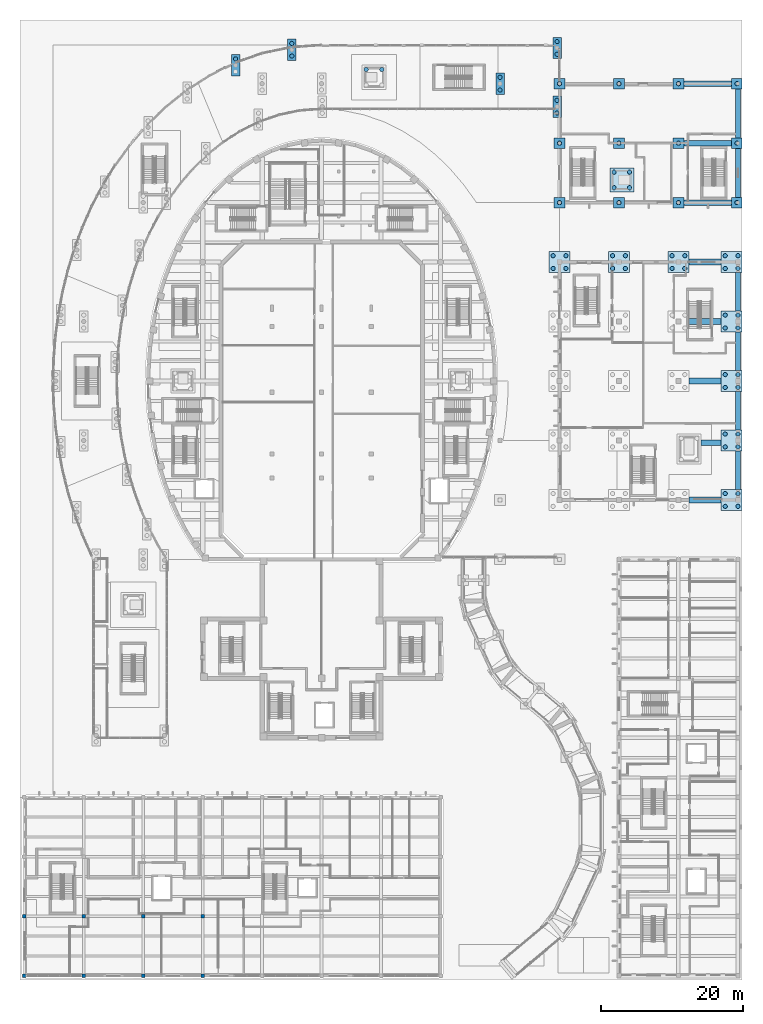
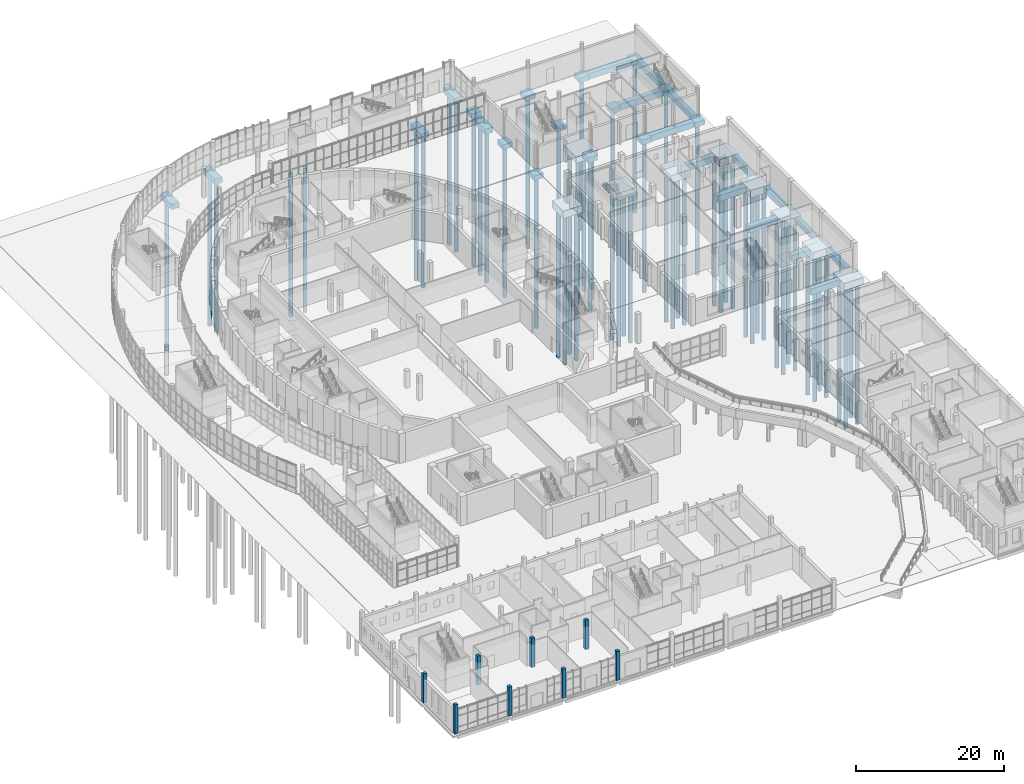
# One storey, part 3 of 110: 59 piles, 40 footings, 8 columns.
"""IFC4 building model written with IfcOpenShell, lengths in metres."""

from ifc_helpers import new_model, si_unit, direction, frame, origin, origin_2d, place, context, subcontext, project, spatial, polyline, rectangle, circle, outline, extrude, material, material_profile, profile_set, type_object, element, save


model = new_model("IFC4")

# Units and contexts
model_context = context("Model", 3, precision=1e-05, world=origin(), true_north=direction((0.0, 1.0)))
body_context = subcontext(model_context, "Body", "Model", "MODEL_VIEW")
ifc_project = project(units=[si_unit("LENGTHUNIT", "METRE"), si_unit("AREAUNIT", "SQUARE_METRE"), si_unit("VOLUMEUNIT", "CUBIC_METRE"), si_unit("PLANEANGLEUNIT", "RADIAN"), si_unit("MASSUNIT", "GRAM", prefix="KILO")], contexts=[model_context])

# Site, building, storey
site_placement = place(None, origin())
site = spatial("IfcSite", under=ifc_project, at=site_placement, CompositionType="ELEMENT")
building_placement = place(site_placement, origin())
building = spatial("IfcBuilding", under=site, at=building_placement, Name="Larchfold Concert Hall", CompositionType="ELEMENT")
storey_placement = place(building_placement, origin())
storey = spatial("IfcBuildingStorey", under=building, at=storey_placement, Name="L00", CompositionType="ELEMENT", Elevation=0.0)

# Piles
ifc_material_1 = material(Name="Concrete C30/37", Category="concrete")
ifc_material_profile_1 = material_profile(ifc_material_1, circle(Radius=0.300048828125, at=origin_2d()))
ifc_profile_set_1 = profile_set([ifc_material_profile_1], Name="Concrete C30/37")
pile_type = type_object("IfcPileType", Name="Bored pile D600", PredefinedType="BORED", material=ifc_profile_set_1)
for number, where, z_axis, x_axis, name in (
    (1, (30.443115234375, 130.097900390625, -1.199951171875), (0.0, 0.0, -1.0), (1.0, 0.0, 0.0), "Pile P0050"),
    (2, (38.39208984375, 130.490966796875, -1.199951171875), (0.0, 0.0, -1.0), (1.0, 0.0, 0.0), "Pile P0055"),
    (3, (38.39208984375, 132.291015625, -1.199951171875), (0.0, 0.0, -1.0), (1.0, 0.0, 0.0), "Pile P0056"),
    (4, (67.800048828125, 125.699951171875, -1.199951171875), (0.0, 0.0, -1.0), (1.0, 0.0, 0.0), "Pile P0067"),
    (5, (67.800048828125, 127.5, -1.199951171875), (0.0, 0.0, -1.0), (1.0, 0.0, 0.0), "Pile P0068"),
    (6, (75.85009765625, 122.449951171875, -1.199951171875), (0.0, 0.0, -1.0), (1.0, 0.0, 0.0), "Pile P0071"),
    (7, (75.85009765625, 124.25, -1.199951171875), (0.0, 0.0, -1.0), (1.0, 0.0, 0.0), "Pile P0072"),
    (8, (75.85009765625, 130.75, -1.199951171875), (0.0, 0.0, -1.0), (1.0, 0.0, 0.0), "Pile P0073"),
    (9, (75.85009765625, 132.550048828125, -1.199951171875), (0.0, 0.0, -1.0), (1.0, 0.0, 0.0), "Pile P0074"),
):
    element("IfcPile", number, at=place(storey_placement, frame(where, z_axis=z_axis, x_axis=x_axis)), inside=storey, type_object=pile_type, Name=name, PredefinedType="BORED", context=body_context, shape_type="SweptSolid", body=[
        extrude(circle(Radius=0.300048828125, at=origin_2d()), origin(), (0.0, 0.0, 1.0), 24.800048828125),
    ])
for number, where, z_axis, x_axis, name in (
    (10, (75.300048828125, 100.5, -1.5), (0.0, 0.0, -1.0), (1.0, 0.0, 0.0), "Pile P0092"),
    (11, (75.300048828125, 102.300048828125, -1.5), (0.0, 0.0, -1.0), (1.0, 0.0, 0.0), "Pile P0093"),
    (12, (77.10009765625, 100.5, -1.5), (0.0, 0.0, -1.0), (1.0, 0.0, 0.0), "Pile P0094"),
    (13, (77.10009765625, 102.300048828125, -1.5), (0.0, 0.0, -1.0), (1.0, 0.0, 0.0), "Pile P0095"),
):
    element("IfcPile", number, at=place(storey_placement, frame(where, z_axis=z_axis, x_axis=x_axis)), inside=storey, type_object=pile_type, Name=name, PredefinedType="BORED", context=body_context, shape_type="SweptSolid", body=[
        extrude(circle(Radius=0.300048828125, at=origin_2d()), origin(), (0.0, 0.0, 1.0), 24.5),
    ])
for number, where, z_axis, x_axis, name in (
    (14, (76.199951171875, 109.800048828125, -1.10009765625), (0.0, 0.0, -1.0), (1.0, 0.0, 0.0), "Pile P0096"),
    (15, (76.199951171875, 118.199951171875, -1.10009765625), (0.0, 0.0, -1.0), (1.0, 0.0, 0.0), "Pile P0097"),
    (16, (76.199951171875, 126.60009765625, -1.10009765625), (0.0, 0.0, -1.0), (1.0, 0.0, 0.0), "Pile P0098"),
):
    element("IfcPile", number, at=place(storey_placement, frame(where, z_axis=z_axis, x_axis=x_axis)), inside=storey, type_object=pile_type, Name=name, PredefinedType="BORED", context=body_context, shape_type="SweptSolid", body=[
        extrude(circle(Radius=0.300048828125, at=origin_2d()), origin(), (0.0, 0.0, 1.0), 24.89990234375),
    ])
for number, where, z_axis, x_axis, name in (
    (17, (83.699951171875, 100.5, -1.5), (0.0, 0.0, -1.0), (1.0, 0.0, 0.0), "Pile P0117"),
    (18, (83.699951171875, 102.300048828125, -1.5), (0.0, 0.0, -1.0), (1.0, 0.0, 0.0), "Pile P0118"),
    (19, (85.5, 100.5, -1.5), (0.0, 0.0, -1.0), (1.0, 0.0, 0.0), "Pile P0119"),
    (20, (85.5, 102.300048828125, -1.5), (0.0, 0.0, -1.0), (1.0, 0.0, 0.0), "Pile P0120"),
):
    element("IfcPile", number, at=place(storey_placement, frame(where, z_axis=z_axis, x_axis=x_axis)), inside=storey, type_object=pile_type, Name=name, PredefinedType="BORED", context=body_context, shape_type="SweptSolid", body=[
        extrude(circle(Radius=0.300048828125, at=origin_2d()), origin(), (0.0, 0.0, 1.0), 24.5),
    ])
for number, where, z_axis, x_axis, name in (
    (21, (84.60009765625, 109.800048828125, -1.10009765625), (0.0, 0.0, -1.0), (1.0, 0.0, 0.0), "Pile P0121"),
    (22, (84.60009765625, 118.199951171875, -1.10009765625), (0.0, 0.0, -1.0), (1.0, 0.0, 0.0), "Pile P0122"),
    (23, (84.60009765625, 126.60009765625, -1.10009765625), (0.0, 0.0, -1.0), (1.0, 0.0, 0.0), "Pile P0123"),
):
    element("IfcPile", number, at=place(storey_placement, frame(where, z_axis=z_axis, x_axis=x_axis)), inside=storey, type_object=pile_type, Name=name, PredefinedType="BORED", context=body_context, shape_type="SweptSolid", body=[
        extrude(circle(Radius=0.300048828125, at=origin_2d()), origin(), (0.0, 0.0, 1.0), 24.89990234375),
    ])
for number, where, z_axis, x_axis, name in (
    (24, (92.10009765625, 100.5, -1.5), (0.0, 0.0, -1.0), (1.0, 0.0, 0.0), "Pile P0136"),
    (25, (92.10009765625, 102.300048828125, -1.5), (0.0, 0.0, -1.0), (1.0, 0.0, 0.0), "Pile P0137"),
    (26, (93.89990234375, 100.5, -1.5), (0.0, 0.0, -1.0), (1.0, 0.0, 0.0), "Pile P0138"),
    (27, (93.89990234375, 102.300048828125, -1.5), (0.0, 0.0, -1.0), (1.0, 0.0, 0.0), "Pile P0139"),
):
    element("IfcPile", number, at=place(storey_placement, frame(where, z_axis=z_axis, x_axis=x_axis)), inside=storey, type_object=pile_type, Name=name, PredefinedType="BORED", context=body_context, shape_type="SweptSolid", body=[
        extrude(circle(Radius=0.300048828125, at=origin_2d()), origin(), (0.0, 0.0, 1.0), 24.5),
    ])
for number, where, z_axis, x_axis, name in (
    (28, (93.0, 109.800048828125, -1.10009765625), (0.0, 0.0, -1.0), (1.0, 0.0, 0.0), "Pile P0140"),
    (29, (93.0, 118.199951171875, -1.10009765625), (0.0, 0.0, -1.0), (1.0, 0.0, 0.0), "Pile P0141"),
    (30, (93.0, 126.60009765625, -1.10009765625), (0.0, 0.0, -1.0), (1.0, 0.0, 0.0), "Pile P0142"),
):
    element("IfcPile", number, at=place(storey_placement, frame(where, z_axis=z_axis, x_axis=x_axis)), inside=storey, type_object=pile_type, Name=name, PredefinedType="BORED", context=body_context, shape_type="SweptSolid", body=[
        extrude(circle(Radius=0.300048828125, at=origin_2d()), origin(), (0.0, 0.0, 1.0), 24.89990234375),
    ])
for number, where, z_axis, x_axis, name in (
    (31, (99.60009765625, 66.89990234375, -1.5), (0.0, 0.0, -1.0), (1.0, 0.0, 0.0), "Pile P0143"),
    (32, (99.60009765625, 68.699951171875, -1.5), (0.0, 0.0, -1.0), (1.0, 0.0, 0.0), "Pile P0144"),
    (33, (101.39990234375, 66.89990234375, -1.5), (0.0, 0.0, -1.0), (1.0, 0.0, 0.0), "Pile P0145"),
    (34, (101.39990234375, 68.699951171875, -1.5), (0.0, 0.0, -1.0), (1.0, 0.0, 0.0), "Pile P0146"),
):
    element("IfcPile", number, at=place(storey_placement, frame(where, z_axis=z_axis, x_axis=x_axis)), inside=storey, type_object=pile_type, Name=name, PredefinedType="BORED", context=body_context, shape_type="SweptSolid", body=[
        extrude(circle(Radius=0.300048828125, at=origin_2d()), origin(), (0.0, 0.0, 1.0), 23.10986328125),
    ])
for number, where, z_axis, x_axis, name in (
    (35, (99.60009765625, 75.300048828125, -1.5), (0.0, 0.0, -1.0), (1.0, 0.0, 0.0), "Pile P0147"),
    (36, (99.60009765625, 77.10009765625, -1.5), (0.0, 0.0, -1.0), (1.0, 0.0, 0.0), "Pile P0148"),
    (37, (101.39990234375, 75.300048828125, -1.5), (0.0, 0.0, -1.0), (1.0, 0.0, 0.0), "Pile P0149"),
    (38, (101.39990234375, 77.10009765625, -1.5), (0.0, 0.0, -1.0), (1.0, 0.0, 0.0), "Pile P0150"),
):
    element("IfcPile", number, at=place(storey_placement, frame(where, z_axis=z_axis, x_axis=x_axis)), inside=storey, type_object=pile_type, Name=name, PredefinedType="BORED", context=body_context, shape_type="SweptSolid", body=[
        extrude(circle(Radius=0.300048828125, at=origin_2d()), origin(), (0.0, 0.0, 1.0), 23.804931640625),
    ])
for number, where, z_axis, x_axis, name in (
    (39, (99.60009765625, 83.699951171875, -1.5), (0.0, 0.0, -1.0), (1.0, 0.0, 0.0), "Pile P0151"),
    (40, (99.60009765625, 85.5, -1.5), (0.0, 0.0, -1.0), (1.0, 0.0, 0.0), "Pile P0152"),
    (41, (101.39990234375, 83.699951171875, -1.5), (0.0, 0.0, -1.0), (1.0, 0.0, 0.0), "Pile P0153"),
    (42, (101.39990234375, 85.5, -1.5), (0.0, 0.0, -1.0), (1.0, 0.0, 0.0), "Pile P0154"),
    (43, (99.60009765625, 92.10009765625, -1.5), (0.0, 0.0, -1.0), (1.0, 0.0, 0.0), "Pile P0155"),
    (44, (99.60009765625, 93.89990234375, -1.5), (0.0, 0.0, -1.0), (1.0, 0.0, 0.0), "Pile P0156"),
    (45, (101.39990234375, 92.10009765625, -1.5), (0.0, 0.0, -1.0), (1.0, 0.0, 0.0), "Pile P0157"),
    (46, (101.39990234375, 93.89990234375, -1.5), (0.0, 0.0, -1.0), (1.0, 0.0, 0.0), "Pile P0158"),
    (47, (99.60009765625, 100.5, -1.5), (0.0, 0.0, -1.0), (1.0, 0.0, 0.0), "Pile P0159"),
    (48, (99.60009765625, 102.300048828125, -1.5), (0.0, 0.0, -1.0), (1.0, 0.0, 0.0), "Pile P0160"),
    (49, (101.39990234375, 100.5, -1.5), (0.0, 0.0, -1.0), (1.0, 0.0, 0.0), "Pile P0161"),
    (50, (101.39990234375, 102.300048828125, -1.5), (0.0, 0.0, -1.0), (1.0, 0.0, 0.0), "Pile P0162"),
):
    element("IfcPile", number, at=place(storey_placement, frame(where, z_axis=z_axis, x_axis=x_axis)), inside=storey, type_object=pile_type, Name=name, PredefinedType="BORED", context=body_context, shape_type="SweptSolid", body=[
        extrude(circle(Radius=0.300048828125, at=origin_2d()), origin(), (0.0, 0.0, 1.0), 24.5),
    ])
for number, where, z_axis, x_axis, name in (
    (51, (101.25, 109.800048828125, -1.10009765625), (0.0, 0.0, -1.0), (1.0, 0.0, 0.0), "Pile P0163"),
    (52, (101.25, 118.199951171875, -1.10009765625), (0.0, 0.0, -1.0), (1.0, 0.0, 0.0), "Pile P0164"),
    (53, (101.25, 126.60009765625, -1.10009765625), (0.0, 0.0, -1.0), (1.0, 0.0, 0.0), "Pile P0165"),
):
    element("IfcPile", number, at=place(storey_placement, frame(where, z_axis=z_axis, x_axis=x_axis)), inside=storey, type_object=pile_type, Name=name, PredefinedType="BORED", context=body_context, shape_type="SweptSolid", body=[
        extrude(circle(Radius=0.300048828125, at=origin_2d()), origin(), (0.0, 0.0, 1.0), 24.89990234375),
    ])
for number, where, z_axis, x_axis, name in (
    (54, (83.900146484375, 111.900146484375, -2.300048828125), (0.0, 0.0, -1.0), (1.0, 0.0, 0.0), "Pile P0178"),
    (55, (83.900146484375, 114.10009765625, -2.300048828125), (0.0, 0.0, -1.0), (1.0, 0.0, 0.0), "Pile P0179"),
    (56, (86.10009765625, 111.900146484375, -2.300048828125), (0.0, 0.0, -1.0), (1.0, 0.0, 0.0), "Pile P0180"),
    (57, (86.10009765625, 114.10009765625, -2.300048828125), (0.0, 0.0, -1.0), (1.0, 0.0, 0.0), "Pile P0181"),
    (58, (48.900146484375, 128.60009765625, -2.300048828125), (0.0, 0.0, -1.0), (1.0, 0.0, 0.0), "Pile P0187"),
    (59, (51.10009765625, 128.60009765625, -2.300048828125), (0.0, 0.0, -1.0), (1.0, 0.0, 0.0), "Pile P0189"),
):
    element("IfcPile", number, at=place(storey_placement, frame(where, z_axis=z_axis, x_axis=x_axis)), inside=storey, type_object=pile_type, Name=name, PredefinedType="BORED", context=body_context, shape_type="SweptSolid", body=[
        extrude(circle(Radius=0.300048828125, at=origin_2d()), origin(), (0.0, 0.0, 1.0), 23.699951171875),
    ])

# Footings
ifc_material_2 = material(Name="Concrete C30/37", Category="concrete")
footing_type_1 = type_object("IfcFootingType", Name="Pad footing 3400x3400x1000", PredefinedType="PAD_FOOTING", material=ifc_material_2)
footing_1_placement = place(storey_placement, frame((0.0, 0.0, -2.39990234375)))
element("IfcFooting", 60, at=footing_1_placement, inside=storey, type_object=footing_type_1, Name="Pit footing PC0079", PredefinedType="PAD_FOOTING", context=body_context, shape_type="SweptSolid", body=[
    extrude(outline(polyline([(86.7001953125, 111.300048828125), (86.7001953125, 114.7001953125), (83.300048828125, 114.7001953125), (83.300048828125, 111.300048828125), (86.7001953125, 111.300048828125)])), origin(), (0.0, 0.0, 1.0), 1.0),
])
ifc_material_3 = material(Name="Concrete C30/37", Category="concrete")
footing_type_2 = type_object("IfcFootingType", Name="Pile cap 1200x3000x900", PredefinedType="PILE_CAP", material=ifc_material_3)
footing_2_placement = place(storey_placement, frame((0.0, 0.0, -1.300048828125)))
element("IfcFooting", 61, at=footing_2_placement, inside=storey, type_object=footing_type_2, Name="Pile cap PC0025", PredefinedType="PILE_CAP", context=body_context, shape_type="SweptSolid", body=[
    extrude(outline(polyline([(31.04296875, 127.697998046875), (31.04296875, 130.697998046875), (29.843017578125, 130.697998046875), (29.843017578125, 127.697998046875), (31.04296875, 127.697998046875)])), origin(), (0.0, 0.0, 1.0), 0.900146484375),
])
footing_3_placement = place(storey_placement, frame((0.0, 0.0, -1.300048828125)))
element("IfcFooting", 62, at=footing_3_placement, inside=storey, type_object=footing_type_2, Name="Pile cap PC0028", PredefinedType="PILE_CAP", context=body_context, shape_type="SweptSolid", body=[
    extrude(outline(polyline([(38.991943359375, 129.89111328125), (38.991943359375, 132.89111328125), (37.7919921875, 132.89111328125), (37.7919921875, 129.89111328125), (38.991943359375, 129.89111328125)])), origin(), (0.0, 0.0, 1.0), 0.900146484375),
])
footing_4_placement = place(storey_placement, frame((0.0, 0.0, -1.300048828125)))
element("IfcFooting", 63, at=footing_4_placement, inside=storey, type_object=footing_type_2, Name="Pile cap PC0037", PredefinedType="PILE_CAP", context=body_context, shape_type="SweptSolid", body=[
    extrude(outline(polyline([(68.39990234375, 125.10009765625), (68.39990234375, 128.10009765625), (67.199951171875, 128.10009765625), (67.199951171875, 125.10009765625), (68.39990234375, 125.10009765625)])), origin(), (0.0, 0.0, 1.0), 0.900146484375),
])
footing_5_placement = place(storey_placement, frame((0.0, 0.0, -1.300048828125)))
element("IfcFooting", 64, at=footing_5_placement, inside=storey, type_object=footing_type_2, Name="Pile cap PC0040", PredefinedType="PILE_CAP", context=body_context, shape_type="SweptSolid", body=[
    extrude(outline(polyline([(76.449951171875, 121.85009765625), (76.449951171875, 124.85009765625), (75.25, 124.85009765625), (75.25, 121.85009765625), (76.449951171875, 121.85009765625)])), origin(), (0.0, 0.0, 1.0), 0.900146484375),
])
footing_6_placement = place(storey_placement, frame((0.0, 0.0, -1.300048828125)))
element("IfcFooting", 65, at=footing_6_placement, inside=storey, type_object=footing_type_2, Name="Pile cap PC0041", PredefinedType="PILE_CAP", context=body_context, shape_type="SweptSolid", body=[
    extrude(outline(polyline([(76.449951171875, 130.14990234375), (76.449951171875, 133.14990234375), (75.25, 133.14990234375), (75.25, 130.14990234375), (76.449951171875, 130.14990234375)])), origin(), (0.0, 0.0, 1.0), 0.900146484375),
])
ifc_material_4 = material(Name="Concrete C30/37", Category="concrete")
footing_type_3 = type_object("IfcFootingType", Name="Pile cap 1500x1500x800", PredefinedType="PILE_CAP", material=ifc_material_4)
footing_7_placement = place(storey_placement, frame((0.0, 0.0, -1.199951171875)))
element("IfcFooting", 66, at=footing_7_placement, inside=storey, type_object=footing_type_3, Name="Pile cap PC0048", PredefinedType="PILE_CAP", context=body_context, shape_type="SweptSolid", body=[
    extrude(outline(polyline([(76.949951171875, 109.050048828125), (76.949951171875, 110.550048828125), (75.449951171875, 110.550048828125), (75.449951171875, 109.050048828125), (76.949951171875, 109.050048828125)])), origin(), (0.0, 0.0, 1.0), 0.800048828125),
])
footing_8_placement = place(storey_placement, frame((0.0, 0.0, -1.199951171875)))
element("IfcFooting", 67, at=footing_8_placement, inside=storey, type_object=footing_type_3, Name="Pile cap PC0049", PredefinedType="PILE_CAP", context=body_context, shape_type="SweptSolid", body=[
    extrude(outline(polyline([(76.949951171875, 117.449951171875), (76.949951171875, 118.949951171875), (75.449951171875, 118.949951171875), (75.449951171875, 117.449951171875), (76.949951171875, 117.449951171875)])), origin(), (0.0, 0.0, 1.0), 0.800048828125),
])
footing_9_placement = place(storey_placement, frame((0.0, 0.0, -1.199951171875)))
element("IfcFooting", 68, at=footing_9_placement, inside=storey, type_object=footing_type_3, Name="Pile cap PC0050", PredefinedType="PILE_CAP", context=body_context, shape_type="SweptSolid", body=[
    extrude(outline(polyline([(76.949951171875, 125.85009765625), (76.949951171875, 127.35009765625), (75.449951171875, 127.35009765625), (75.449951171875, 125.85009765625), (76.949951171875, 125.85009765625)])), origin(), (0.0, 0.0, 1.0), 0.800048828125),
])
footing_10_placement = place(storey_placement, frame((0.0, 0.0, -1.199951171875)))
element("IfcFooting", 69, at=footing_10_placement, inside=storey, type_object=footing_type_3, Name="Pile cap PC0058", PredefinedType="PILE_CAP", context=body_context, shape_type="SweptSolid", body=[
    extrude(outline(polyline([(85.35009765625, 109.050048828125), (85.35009765625, 110.550048828125), (83.85009765625, 110.550048828125), (83.85009765625, 109.050048828125), (85.35009765625, 109.050048828125)])), origin(), (0.0, 0.0, 1.0), 0.800048828125),
])
footing_11_placement = place(storey_placement, frame((0.0, 0.0, -1.199951171875)))
element("IfcFooting", 70, at=footing_11_placement, inside=storey, type_object=footing_type_3, Name="Pile cap PC0059", PredefinedType="PILE_CAP", context=body_context, shape_type="SweptSolid", body=[
    extrude(outline(polyline([(85.35009765625, 117.449951171875), (85.35009765625, 118.949951171875), (83.85009765625, 118.949951171875), (83.85009765625, 117.449951171875), (85.35009765625, 117.449951171875)])), origin(), (0.0, 0.0, 1.0), 0.800048828125),
])
footing_12_placement = place(storey_placement, frame((0.0, 0.0, -1.199951171875)))
element("IfcFooting", 71, at=footing_12_placement, inside=storey, type_object=footing_type_3, Name="Pile cap PC0060", PredefinedType="PILE_CAP", context=body_context, shape_type="SweptSolid", body=[
    extrude(outline(polyline([(85.35009765625, 125.85009765625), (85.35009765625, 127.35009765625), (83.85009765625, 127.35009765625), (83.85009765625, 125.85009765625), (85.35009765625, 125.85009765625)])), origin(), (0.0, 0.0, 1.0), 0.800048828125),
])
footing_13_placement = place(storey_placement, frame((0.0, 0.0, -1.199951171875)))
element("IfcFooting", 72, at=footing_13_placement, inside=storey, type_object=footing_type_3, Name="Pile cap PC0065", PredefinedType="PILE_CAP", context=body_context, shape_type="SweptSolid", body=[
    extrude(outline(polyline([(93.75, 109.050048828125), (93.75, 110.550048828125), (92.25, 110.550048828125), (92.25, 109.050048828125), (93.75, 109.050048828125)])), origin(), (0.0, 0.0, 1.0), 0.800048828125),
])
footing_14_placement = place(storey_placement, frame((0.0, 0.0, -1.199951171875)))
element("IfcFooting", 73, at=footing_14_placement, inside=storey, type_object=footing_type_3, Name="Pile cap PC0066", PredefinedType="PILE_CAP", context=body_context, shape_type="SweptSolid", body=[
    extrude(outline(polyline([(93.75, 117.449951171875), (93.75, 118.949951171875), (92.25, 118.949951171875), (92.25, 117.449951171875), (93.75, 117.449951171875)])), origin(), (0.0, 0.0, 1.0), 0.800048828125),
])
footing_15_placement = place(storey_placement, frame((0.0, 0.0, -1.199951171875)))
element("IfcFooting", 74, at=footing_15_placement, inside=storey, type_object=footing_type_3, Name="Pile cap PC0067", PredefinedType="PILE_CAP", context=body_context, shape_type="SweptSolid", body=[
    extrude(outline(polyline([(93.75, 125.85009765625), (93.75, 127.35009765625), (92.25, 127.35009765625), (92.25, 125.85009765625), (93.75, 125.85009765625)])), origin(), (0.0, 0.0, 1.0), 0.800048828125),
])
footing_16_placement = place(storey_placement, frame((0.0, 0.0, -1.199951171875)))
element("IfcFooting", 75, at=footing_16_placement, inside=storey, type_object=footing_type_3, Name="Pile cap PC0073", PredefinedType="PILE_CAP", context=body_context, shape_type="SweptSolid", body=[
    extrude(outline(polyline([(102.0, 109.050048828125), (102.0, 110.550048828125), (100.5, 110.550048828125), (100.5, 109.050048828125), (102.0, 109.050048828125)])), origin(), (0.0, 0.0, 1.0), 0.800048828125),
])
footing_17_placement = place(storey_placement, frame((0.0, 0.0, -1.199951171875)))
element("IfcFooting", 76, at=footing_17_placement, inside=storey, type_object=footing_type_3, Name="Pile cap PC0074", PredefinedType="PILE_CAP", context=body_context, shape_type="SweptSolid", body=[
    extrude(outline(polyline([(102.0, 117.449951171875), (102.0, 118.949951171875), (100.5, 118.949951171875), (100.5, 117.449951171875), (102.0, 117.449951171875)])), origin(), (0.0, 0.0, 1.0), 0.800048828125),
])
footing_18_placement = place(storey_placement, frame((0.0, 0.0, -1.199951171875)))
element("IfcFooting", 77, at=footing_18_placement, inside=storey, type_object=footing_type_3, Name="Pile cap PC0075", PredefinedType="PILE_CAP", context=body_context, shape_type="SweptSolid", body=[
    extrude(outline(polyline([(102.0, 125.85009765625), (102.0, 127.35009765625), (100.5, 127.35009765625), (100.5, 125.85009765625), (102.0, 125.85009765625)])), origin(), (0.0, 0.0, 1.0), 0.800048828125),
])
ifc_material_5 = material(Name="Concrete C30/37", Category="concrete")
footing_type_4 = type_object("IfcFootingType", Name="Pile cap 3000x3000x1200", PredefinedType="PILE_CAP", material=ifc_material_5)
footing_19_placement = place(storey_placement, frame((0.0, 0.0, -1.60009765625)))
element("IfcFooting", 78, at=footing_19_placement, inside=storey, type_object=footing_type_4, Name="Pile cap PC0047", PredefinedType="PILE_CAP", context=body_context, shape_type="SweptSolid", body=[
    extrude(outline(polyline([(77.699951171875, 99.89990234375), (77.699951171875, 102.89990234375), (74.699951171875, 102.89990234375), (74.699951171875, 99.89990234375), (77.699951171875, 99.89990234375)])), origin(), (0.0, 0.0, 1.0), 1.2001953125),
])
footing_20_placement = place(storey_placement, frame((0.0, 0.0, -1.60009765625)))
element("IfcFooting", 79, at=footing_20_placement, inside=storey, type_object=footing_type_4, Name="Pile cap PC0057", PredefinedType="PILE_CAP", context=body_context, shape_type="SweptSolid", body=[
    extrude(outline(polyline([(86.10009765625, 99.89990234375), (86.10009765625, 102.89990234375), (83.10009765625, 102.89990234375), (83.10009765625, 99.89990234375), (86.10009765625, 99.89990234375)])), origin(), (0.0, 0.0, 1.0), 1.2001953125),
])
footing_21_placement = place(storey_placement, frame((0.0, 0.0, -1.60009765625)))
element("IfcFooting", 80, at=footing_21_placement, inside=storey, type_object=footing_type_4, Name="Pile cap PC0064", PredefinedType="PILE_CAP", context=body_context, shape_type="SweptSolid", body=[
    extrude(outline(polyline([(94.5, 99.89990234375), (94.5, 102.89990234375), (91.5, 102.89990234375), (91.5, 99.89990234375), (94.5, 99.89990234375)])), origin(), (0.0, 0.0, 1.0), 1.2001953125),
])
footing_22_placement = place(storey_placement, frame((0.0, 0.0, -1.60009765625)))
element("IfcFooting", 81, at=footing_22_placement, inside=storey, type_object=footing_type_4, Name="Pile cap PC0068", PredefinedType="PILE_CAP", context=body_context, shape_type="SweptSolid", body=[
    extrude(outline(polyline([(102.0, 66.300048828125), (102.0, 69.300048828125), (99.0, 69.300048828125), (99.0, 66.300048828125), (102.0, 66.300048828125)])), origin(), (0.0, 0.0, 1.0), 1.2001953125),
])
footing_23_placement = place(storey_placement, frame((0.0, 0.0, -1.60009765625)))
element("IfcFooting", 82, at=footing_23_placement, inside=storey, type_object=footing_type_4, Name="Pile cap PC0069", PredefinedType="PILE_CAP", context=body_context, shape_type="SweptSolid", body=[
    extrude(outline(polyline([(102.0, 74.699951171875), (102.0, 77.699951171875), (99.0, 77.699951171875), (99.0, 74.699951171875), (102.0, 74.699951171875)])), origin(), (0.0, 0.0, 1.0), 1.2001953125),
])
footing_24_placement = place(storey_placement, frame((0.0, 0.0, -1.60009765625)))
element("IfcFooting", 83, at=footing_24_placement, inside=storey, type_object=footing_type_4, Name="Pile cap PC0070", PredefinedType="PILE_CAP", context=body_context, shape_type="SweptSolid", body=[
    extrude(outline(polyline([(102.0, 83.10009765625), (102.0, 86.10009765625), (99.0, 86.10009765625), (99.0, 83.10009765625), (102.0, 83.10009765625)])), origin(), (0.0, 0.0, 1.0), 1.2001953125),
])
footing_25_placement = place(storey_placement, frame((0.0, 0.0, -1.60009765625)))
element("IfcFooting", 84, at=footing_25_placement, inside=storey, type_object=footing_type_4, Name="Pile cap PC0071", PredefinedType="PILE_CAP", context=body_context, shape_type="SweptSolid", body=[
    extrude(outline(polyline([(102.0, 91.5), (102.0, 94.5), (99.0, 94.5), (99.0, 91.5), (102.0, 91.5)])), origin(), (0.0, 0.0, 1.0), 1.2001953125),
])
footing_26_placement = place(storey_placement, frame((0.0, 0.0, -1.60009765625)))
element("IfcFooting", 85, at=footing_26_placement, inside=storey, type_object=footing_type_4, Name="Pile cap PC0072", PredefinedType="PILE_CAP", context=body_context, shape_type="SweptSolid", body=[
    extrude(outline(polyline([(102.0, 99.89990234375), (102.0, 102.89990234375), (99.0, 102.89990234375), (99.0, 99.89990234375), (102.0, 99.89990234375)])), origin(), (0.0, 0.0, 1.0), 1.2001953125),
])
ifc_material_6 = material(Name="Concrete C30/37", Category="concrete")
footing_type_5 = type_object("IfcFootingType", Name="Strip footing 700x900", PredefinedType="STRIP_FOOTING", material=ifc_material_6)
footing_27_placement = place(storey_placement, frame((0.0, 0.0, -1.300048828125)))
element("IfcFooting", 86, at=footing_27_placement, inside=storey, type_object=footing_type_5, Name="Ground beam GB0009", PredefinedType="STRIP_FOOTING", context=body_context, shape_type="SweptSolid", body=[
    extrude(outline(polyline([(101.0498046875, 69.300048828125), (101.75, 69.300048828125), (101.75, 74.699951171875), (101.0498046875, 74.699951171875), (101.0498046875, 69.300048828125)])), origin(), (0.0, 0.0, 1.0), 0.900146484375),
])
footing_28_placement = place(storey_placement, frame((0.0, 0.0, -1.300048828125)))
element("IfcFooting", 87, at=footing_28_placement, inside=storey, type_object=footing_type_5, Name="Ground beam GB0010", PredefinedType="STRIP_FOOTING", context=body_context, shape_type="SweptSolid", body=[
    extrude(outline(polyline([(101.0498046875, 77.699951171875), (101.75, 77.699951171875), (101.75, 83.10009765625), (101.0498046875, 83.10009765625), (101.0498046875, 77.699951171875)])), origin(), (0.0, 0.0, 1.0), 0.900146484375),
])
footing_29_placement = place(storey_placement, frame((0.0, 0.0, -1.300048828125)))
element("IfcFooting", 88, at=footing_29_placement, inside=storey, type_object=footing_type_5, Name="Ground beam GB0011", PredefinedType="STRIP_FOOTING", context=body_context, shape_type="SweptSolid", body=[
    extrude(outline(polyline([(101.0498046875, 86.10009765625), (101.75, 86.10009765625), (101.75, 91.5), (101.0498046875, 91.5), (101.0498046875, 86.10009765625)])), origin(), (0.0, 0.0, 1.0), 0.900146484375),
])
footing_30_placement = place(storey_placement, frame((0.0, 0.0, -1.300048828125)))
element("IfcFooting", 89, at=footing_30_placement, inside=storey, type_object=footing_type_5, Name="Ground beam GB0012", PredefinedType="STRIP_FOOTING", context=body_context, shape_type="SweptSolid", body=[
    extrude(outline(polyline([(101.0498046875, 94.5), (101.75, 94.5), (101.75, 99.89990234375), (101.0498046875, 99.89990234375), (101.0498046875, 94.5)])), origin(), (0.0, 0.0, 1.0), 0.900146484375),
])
footing_31_placement = place(storey_placement, frame((0.0, 0.0, -1.300048828125)))
element("IfcFooting", 90, at=footing_31_placement, inside=storey, type_object=footing_type_5, Name="Ground beam GB0013", PredefinedType="STRIP_FOOTING", context=body_context, shape_type="SweptSolid", body=[
    extrude(outline(polyline([(101.0498046875, 110.550048828125), (101.75, 110.550048828125), (101.75, 117.449951171875), (101.0498046875, 117.449951171875), (101.0498046875, 110.550048828125)])), origin(), (0.0, 0.0, 1.0), 0.900146484375),
])
footing_32_placement = place(storey_placement, frame((0.0, 0.0, -1.300048828125)))
element("IfcFooting", 91, at=footing_32_placement, inside=storey, type_object=footing_type_5, Name="Ground beam GB0014", PredefinedType="STRIP_FOOTING", context=body_context, shape_type="SweptSolid", body=[
    extrude(outline(polyline([(101.0498046875, 118.949951171875), (101.75, 118.949951171875), (101.75, 125.85009765625), (101.0498046875, 125.85009765625), (101.0498046875, 118.949951171875)])), origin(), (0.0, 0.0, 1.0), 0.900146484375),
])
ifc_material_7 = material(Name="Concrete C30/37", Category="concrete")
footing_type_6 = type_object("IfcFootingType", Name="Strip footing 800x1000", PredefinedType="STRIP_FOOTING", material=ifc_material_7)
footing_33_placement = place(storey_placement, frame((0.0, 0.0, -1.39990234375)))
element("IfcFooting", 92, at=footing_33_placement, inside=storey, type_object=footing_type_6, Name="Ground beam GB0001", PredefinedType="STRIP_FOOTING", context=body_context, shape_type="SweptSolid", body=[
    extrude(outline(polyline([(94.5, 68.199951171875), (94.5, 67.39990234375), (99.0, 67.39990234375), (99.0, 68.199951171875), (94.5, 68.199951171875)])), origin(), (0.0, 0.0, 1.0), 1.0),
])
footing_34_placement = place(storey_placement, frame((0.0, 0.0, -1.39990234375)))
element("IfcFooting", 93, at=footing_34_placement, inside=storey, type_object=footing_type_6, Name="Ground beam GB0002", PredefinedType="STRIP_FOOTING", context=body_context, shape_type="SweptSolid", body=[
    extrude(outline(polyline([(96.2001953125, 76.300048828125), (96.2001953125, 75.5), (99.0, 75.5), (99.0, 76.300048828125), (96.2001953125, 76.300048828125)])), origin(), (0.0, 0.0, 1.0), 1.0),
])
footing_35_placement = place(storey_placement, frame((0.0, 0.0, -1.39990234375)))
element("IfcFooting", 94, at=footing_35_placement, inside=storey, type_object=footing_type_6, Name="Ground beam GB0003", PredefinedType="STRIP_FOOTING", context=body_context, shape_type="SweptSolid", body=[
    extrude(outline(polyline([(94.5, 85.0), (94.5, 84.199951171875), (99.0, 84.199951171875), (99.0, 85.0), (94.5, 85.0)])), origin(), (0.0, 0.0, 1.0), 1.0),
])
footing_36_placement = place(storey_placement, frame((0.0, 0.0, -1.39990234375)))
element("IfcFooting", 95, at=footing_36_placement, inside=storey, type_object=footing_type_6, Name="Ground beam GB0004", PredefinedType="STRIP_FOOTING", context=body_context, shape_type="SweptSolid", body=[
    extrude(outline(polyline([(94.5, 93.39990234375), (94.5, 92.60009765625), (99.0, 92.60009765625), (99.0, 93.39990234375), (94.5, 93.39990234375)])), origin(), (0.0, 0.0, 1.0), 1.0),
])
footing_37_placement = place(storey_placement, frame((0.0, 0.0, -1.39990234375)))
element("IfcFooting", 96, at=footing_37_placement, inside=storey, type_object=footing_type_6, Name="Ground beam GB0005", PredefinedType="STRIP_FOOTING", context=body_context, shape_type="SweptSolid", body=[
    extrude(outline(polyline([(94.5, 101.800048828125), (94.5, 101.0), (99.0, 101.0), (99.0, 101.800048828125), (94.5, 101.800048828125)])), origin(), (0.0, 0.0, 1.0), 1.0),
])
footing_38_placement = place(storey_placement, frame((0.0, 0.0, -1.39990234375)))
element("IfcFooting", 97, at=footing_38_placement, inside=storey, type_object=footing_type_6, Name="Ground beam GB0006", PredefinedType="STRIP_FOOTING", context=body_context, shape_type="SweptSolid", body=[
    extrude(outline(polyline([(93.75, 110.199951171875), (93.75, 109.39990234375), (100.5, 109.39990234375), (100.5, 110.199951171875), (93.75, 110.199951171875)])), origin(), (0.0, 0.0, 1.0), 1.0),
])
footing_39_placement = place(storey_placement, frame((0.0, 0.0, -1.39990234375)))
element("IfcFooting", 98, at=footing_39_placement, inside=storey, type_object=footing_type_6, Name="Ground beam GB0007", PredefinedType="STRIP_FOOTING", context=body_context, shape_type="SweptSolid", body=[
    extrude(outline(polyline([(93.75, 118.60009765625), (93.75, 117.800048828125), (100.5, 117.800048828125), (100.5, 118.60009765625), (93.75, 118.60009765625)])), origin(), (0.0, 0.0, 1.0), 1.0),
])
footing_40_placement = place(storey_placement, frame((0.0, 0.0, -1.39990234375)))
element("IfcFooting", 99, at=footing_40_placement, inside=storey, type_object=footing_type_6, Name="Ground beam GB0008", PredefinedType="STRIP_FOOTING", context=body_context, shape_type="SweptSolid", body=[
    extrude(outline(polyline([(93.75, 127.0), (93.75, 126.199951171875), (100.5, 126.199951171875), (100.5, 127.0), (93.75, 127.0)])), origin(), (0.0, 0.0, 1.0), 1.0),
])

# Columns
ifc_material_8 = material(Name="Concrete C35/45", Category="concrete")
ifc_material_profile_2 = material_profile(ifc_material_8, rectangle(XDim=0.5, YDim=0.5, at=origin_2d()))
ifc_profile_set_2 = profile_set([ifc_material_profile_2], Name="Concrete C35/45")
column_type = type_object("IfcColumnType", Name="Column RC 500x500", PredefinedType="COLUMN", material=ifc_profile_set_2)
for number, where, z_axis, x_axis, name in (
    (100, (0.60009765625, 0.60009765625, 0.0), (0.0, 0.0, 1.0), (1.0, 0.0, 0.0), "Column C0001"),
    (101, (0.60009765625, 9.0, 0.0), (0.0, 0.0, 1.0), (1.0, 0.0, 0.0), "Column C0002"),
    (102, (9.0, 0.60009765625, 0.0), (0.0, 0.0, 1.0), (1.0, 0.0, 0.0), "Column C0005"),
    (103, (9.0, 9.0, 0.0), (0.0, 0.0, 1.0), (1.0, 0.0, 0.0), "Column C0006"),
    (104, (17.39990234375, 0.60009765625, 0.0), (0.0, 0.0, 1.0), (1.0, 0.0, 0.0), "Column C0009"),
    (105, (17.39990234375, 9.0, 0.0), (0.0, 0.0, 1.0), (1.0, 0.0, 0.0), "Column C0010"),
    (106, (25.800048828125, 0.60009765625, 0.0), (0.0, 0.0, 1.0), (1.0, 0.0, 0.0), "Column C0013"),
    (107, (25.800048828125, 9.0, 0.0), (0.0, 0.0, 1.0), (1.0, 0.0, 0.0), "Column C0014"),
):
    element("IfcColumn", number, at=place(storey_placement, frame(where, z_axis=z_axis, x_axis=x_axis)), inside=storey, type_object=column_type, Name=name, PredefinedType="COLUMN", context=body_context, shape_type="SweptSolid", body=[
        extrude(rectangle(XDim=0.5, YDim=0.5, at=origin_2d()), origin(), (0.0, 0.0, 1.0), 4.800048828125),
    ])

save(model, "model.ifc")
